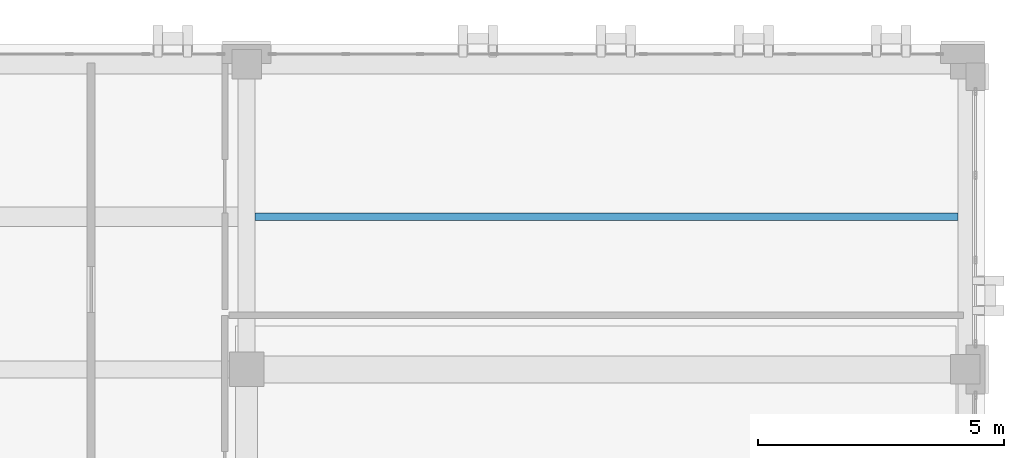
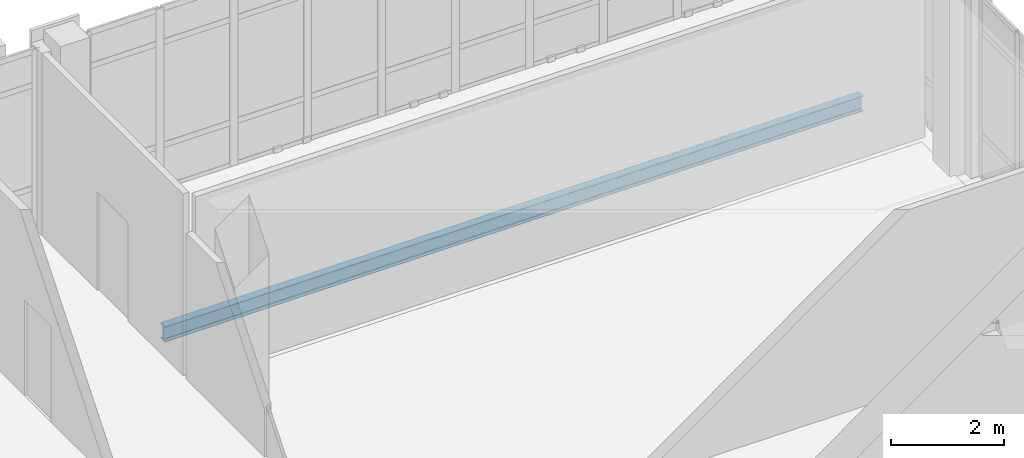
# One storey, part 54 of 90: 1 beam.
"""IFC4 building model written with IfcOpenShell, lengths in metres."""

from ifc_helpers import new_model, si_unit, direction, frame, origin, origin_2d, place, context, subcontext, project, spatial, i_section, extrude, material, material_profile, profile_set, type_object, element, save


model = new_model("IFC4")

# Units and contexts
model_context = context("Model", 3, precision=1e-05, world=origin(), true_north=direction((0.0, 1.0)))
body_context = subcontext(model_context, "Body", "Model", "MODEL_VIEW")
ifc_project = project(units=[si_unit("LENGTHUNIT", "METRE"), si_unit("AREAUNIT", "SQUARE_METRE"), si_unit("VOLUMEUNIT", "CUBIC_METRE"), si_unit("PLANEANGLEUNIT", "RADIAN"), si_unit("MASSUNIT", "GRAM", prefix="KILO")], contexts=[model_context])

# Site, building, storey
site_placement = place(None, origin())
site = spatial("IfcSite", under=ifc_project, at=site_placement, CompositionType="ELEMENT")
building_placement = place(site_placement, origin())
building = spatial("IfcBuilding", under=site, at=building_placement, Name="Qalavern Law Courts", CompositionType="ELEMENT")
storey_placement = place(building_placement, frame((0.0, 0.0, 22.800048828125)))
storey = spatial("IfcBuildingStorey", under=building, at=storey_placement, Name="L05", CompositionType="ELEMENT", Elevation=22.800048828125)

# Beam
ifc_material = material(Name="Steel S355", Category="steel")
ifc_material_profile = material_profile(ifc_material, i_section(OverallWidth=0.159912109375, OverallDepth=0.330078125, WebThickness=0.007568359375, FlangeThickness=0.011474609375, FilletRadius=0.01806640625, at=origin_2d()), Name="IPE 330")
ifc_profile_set = profile_set([ifc_material_profile], Name="Steel S355")
beam_type = type_object("IfcBeamType", Name="STR-JST-IPE330", PredefinedType="JOIST", material=ifc_profile_set)
beam_placement = place(storey_placement, frame((91.972900390625, 82.300048828125, -0.43994140625), z_axis=(1.0, 0.0, 0.0), x_axis=(0.0, 1.0, 0.0)))
element("IfcBeam", 1, at=beam_placement, inside=storey, type_object=beam_type, Name="V4 secondary joist 2.6.1 L05", PredefinedType="JOIST", context=body_context, shape_type="SweptSolid", body=[
    extrude(i_section(OverallWidth=0.159912109375, OverallDepth=0.330078125, WebThickness=0.007568359375, FlangeThickness=0.011474609375, FilletRadius=0.01806640625, at=origin_2d()), origin(), (0.0, 0.0, 1.0), 14.279052734375),
])

save(model, "model.ifc")
